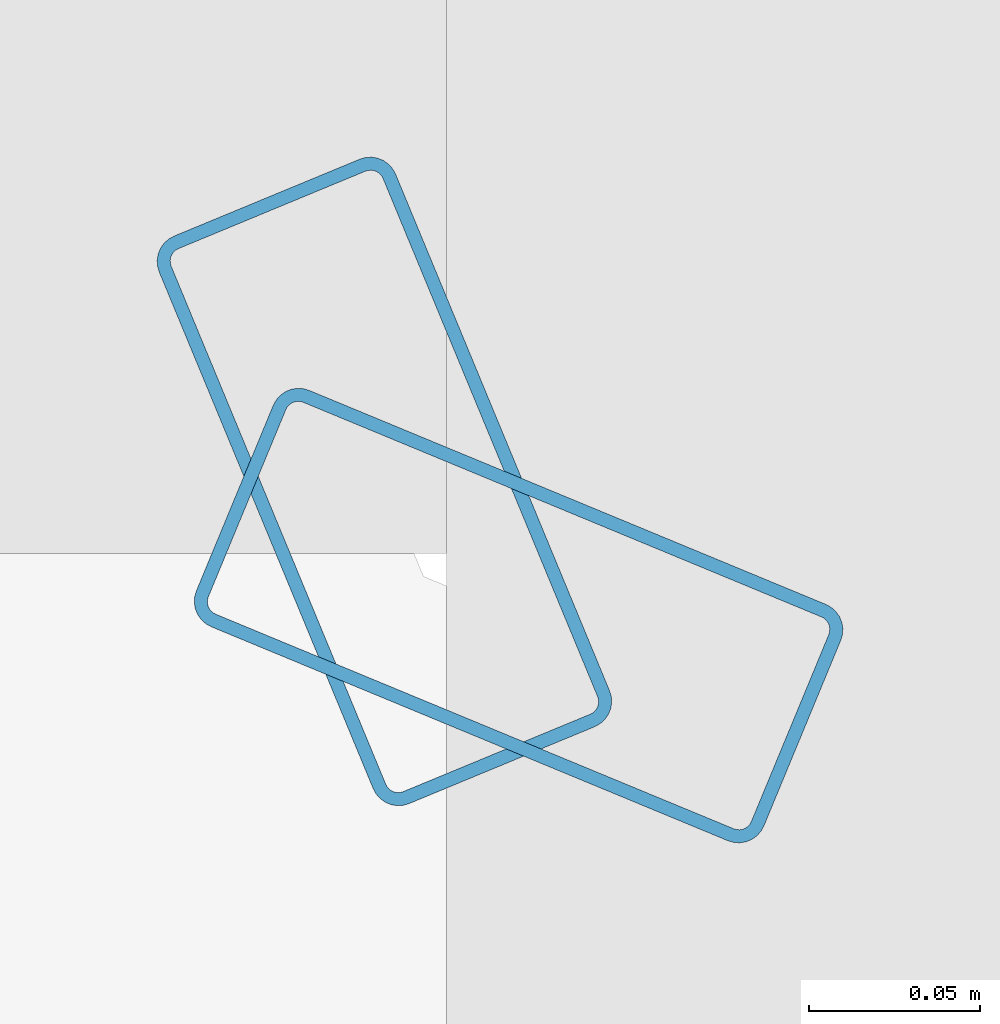
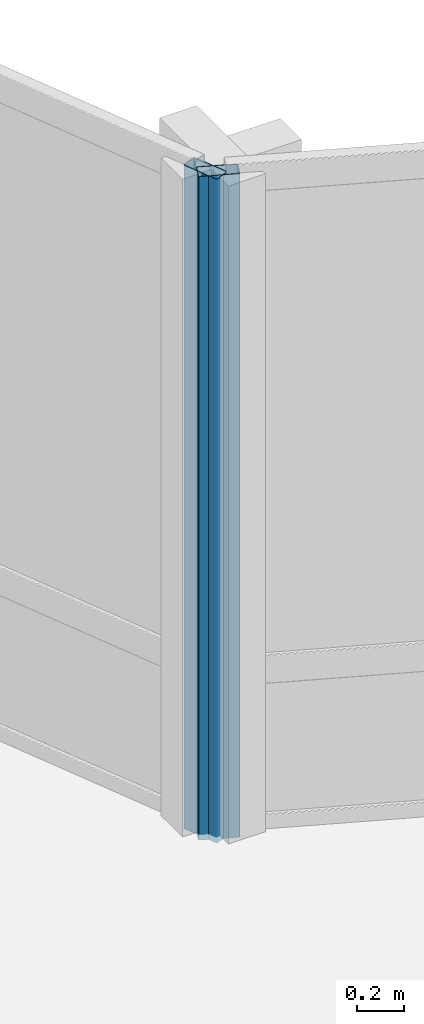
# One storey, part 8 of 34: 2 members, 2 elements without a shape of their own.
"""IFC4 building model written with IfcOpenShell, lengths in metres."""

from ifc_helpers import new_model, si_unit, direction, frame, origin, origin_2d, place, context, subcontext, project, spatial, hollow_rectangle, extrude, material, layer, layer_set, material_profile, profile_set, type_object, element, aggregate, save


model = new_model("IFC4")

# Units and contexts
model_context = context("Model", 3, precision=1e-05, world=origin(), true_north=direction((0.0, 1.0)))
body_context = subcontext(model_context, "Body", "Model", "MODEL_VIEW")
ifc_project = project(units=[si_unit("LENGTHUNIT", "METRE"), si_unit("AREAUNIT", "SQUARE_METRE"), si_unit("VOLUMEUNIT", "CUBIC_METRE"), si_unit("PLANEANGLEUNIT", "RADIAN"), si_unit("MASSUNIT", "GRAM", prefix="KILO")], contexts=[model_context])

# Site, building, storey
site_placement = place(None, origin())
site = spatial("IfcSite", under=ifc_project, at=site_placement, CompositionType="ELEMENT")
building_placement = place(site_placement, origin())
building = spatial("IfcBuilding", under=site, at=building_placement, Name="Solvaryn Broadcast Tower", CompositionType="ELEMENT")
storey_placement = place(building_placement, frame((0.0, 0.0, 43.39990234375)))
storey = spatial("IfcBuildingStorey", under=building, at=storey_placement, Name="L09", CompositionType="ELEMENT", Elevation=43.39990234375)

# Curtain wall, member
ifc_material_1 = material(Name="Aluminium and Terracotta Unitised Curtain Wall", Category="masonry")
ifc_layer = layer(ifc_material_1, 0.199951171875)
ifc_layer_set = layer_set([ifc_layer], Name="CW-SYS2-LOWMID")
curtain_wall_type = type_object("IfcCurtainWallType", Name="CW-SYS2-LOWMID", PredefinedType="NOTDEFINED", material=ifc_layer_set)
curtain_wall_1_placement = place(storey_placement, origin())
curtain_wall_1 = element("IfcCurtainWall", 1, at=curtain_wall_1_placement, inside=storey, type_object=curtain_wall_type, Name="L09 Curtain Wall CN1", PredefinedType="NOTDEFINED")
ifc_material_2 = material(Name="Anodised Aluminium 6063-T6", Category="aluminium")
ifc_material_profile = material_profile(ifc_material_2, hollow_rectangle(XDim=0.074951171875, YDim=0.179931640625, WallThickness=0.00390625, InnerFilletRadius=0.00390625, OuterFilletRadius=0.008056640625, at=origin_2d()))
ifc_profile_set = profile_set([ifc_material_profile], Name="Anodised Aluminium 6063-T6")
member_type = type_object("IfcMemberType", Name="CW-MUL-180", PredefinedType="MULLION", material=ifc_profile_set)
member_1_placement = place(storey_placement, frame((30.395751953125, 30.3564453125, 0.0), z_axis=(0.0, 0.0, 1.0), x_axis=(-0.382646127145, -0.923894983957, 0.0)))
member_1 = element("IfcMember", 2, at=member_1_placement, type_object=member_type, Name="CWS2 mullion 2", PredefinedType="MULLION", context=body_context, shape_type="SweptSolid", body=[
    extrude(hollow_rectangle(XDim=0.074951171875, YDim=0.179931640625, WallThickness=0.00390625, InnerFilletRadius=0.00390625, OuterFilletRadius=0.008056640625, at=origin_2d()), origin(), (0.0, 0.0, 1.0), 3.420166015625),
])
aggregate(curtain_wall_1, [member_1])

curtain_wall_2_placement = place(storey_placement, origin())
curtain_wall_2 = element("IfcCurtainWall", 3, at=curtain_wall_2_placement, inside=storey, type_object=curtain_wall_type, Name="L09 Curtain Wall CN2", PredefinedType="NOTDEFINED")
member_2_placement = place(storey_placement, frame((30.3564453125, 30.395751953125, 0.0), z_axis=(0.0, 0.0, 1.0), x_axis=(-0.923894983957, -0.382646127145, 0.0)))
member_2 = element("IfcMember", 4, at=member_2_placement, type_object=member_type, Name="CWS2 mullion 1", PredefinedType="MULLION", context=body_context, shape_type="SweptSolid", body=[
    extrude(hollow_rectangle(XDim=0.074951171875, YDim=0.179931640625, WallThickness=0.00390625, InnerFilletRadius=0.00390625, OuterFilletRadius=0.008056640625, at=origin_2d()), origin(), (0.0, 0.0, 1.0), 3.420166015625),
])
aggregate(curtain_wall_2, [member_2])

save(model, "model.ifc")
